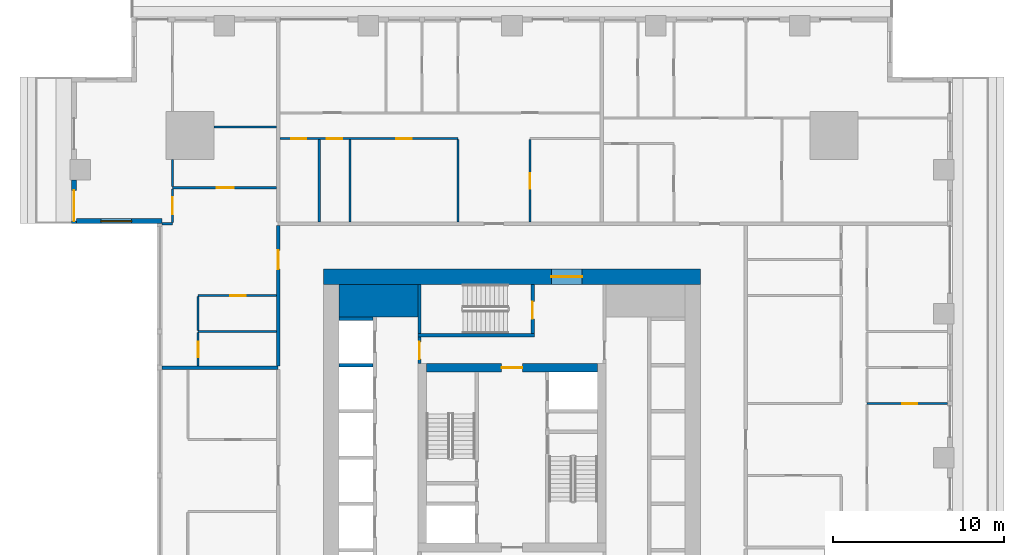
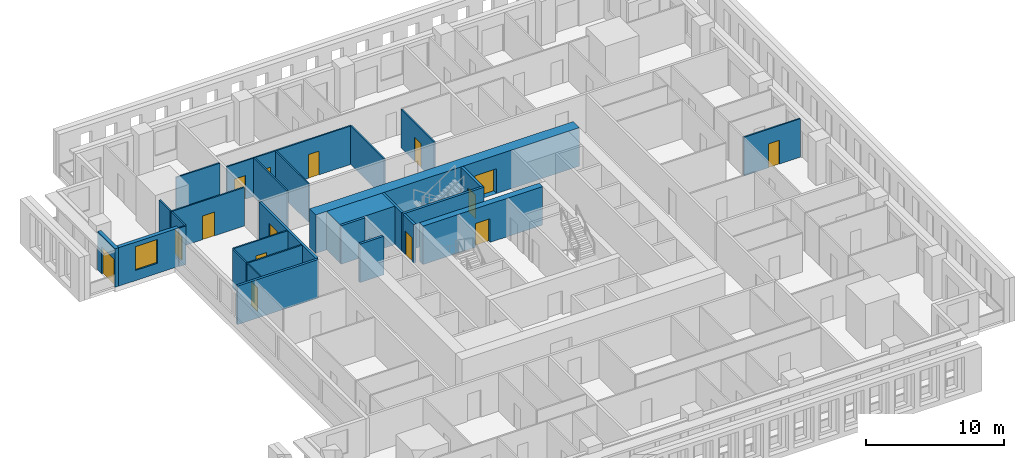
# One storey, part 6 of 14: 28 walls, 15 doors, 1 window, 16 openings.
"""IFC4 building model written with IfcOpenShell, lengths in metres."""

import ifcopenshell
import ifcopenshell.guid

model = None  # the IFC model being written
_history = None  # IfcOwnerHistory: only IFC2X3 demands one
_inside = {}  # id of a spatial element -> (the spatial element, [elements in it])
_under = {}  # id of a project, library or spatial element -> (it, [spatial elements below it])
_declared = {}  # id of a project -> (the project, [libraries it declares])
_typed = {}  # id of a type object -> (the type object, [elements of that type])
_made_of = {}  # id of a material, layer set ... -> (it, [elements and type objects made of it])


def new_model(schema):
    """Start an empty IFC model of exactly this schema.

    Asked for "IFC4X3", IfcOpenShell would pick the latest addendum, in which some entities
    have other attributes; the version numbers below select the first issue.
    IFC2X3 requires an IfcOwnerHistory on every rooted entity: one is made here for all.
    """
    global model, _history
    if schema == "IFC4X3":
        model = ifcopenshell.file(schema_version=(4, 3, 0, 0))
    else:
        model = ifcopenshell.file(schema=schema)
    _inside.clear()
    _under.clear()
    _declared.clear()
    _typed.clear()
    _made_of.clear()
    _history = None
    if model.schema == "IFC2X3":
        org = make("IfcOrganization", Name="unknown")
        user = make(
            "IfcPersonAndOrganization",
            ThePerson=make("IfcPerson", FamilyName="unknown"),
            TheOrganization=org,
        )
        app = make(
            "IfcApplication",
            ApplicationDeveloper=org,
            Version="unknown",
            ApplicationFullName="unknown",
            ApplicationIdentifier="unknown",
        )
        _history = make(
            "IfcOwnerHistory",
            OwningUser=user,
            OwningApplication=app,
            ChangeAction="ADDED",
            CreationDate=0,
        )
    return model


def make(cls, **values):
    """One entity of the class cls with the attributes given. An attribute that is None is left unset."""
    return model.create_entity(
        cls, **{name: value for name, value in values.items() if value is not None}
    )


def rooted(cls, **values):
    """An entity with a GlobalId (a new one), such as an element, a storey or a relation."""
    return make(cls, GlobalId=ifcopenshell.guid.new(), OwnerHistory=_history, **values)


def si_unit(unit_type, name, prefix=None):
    """IfcSIUnit, for example si_unit("LENGTHUNIT", "METRE", prefix="MILLI")."""
    return make("IfcSIUnit", UnitType=unit_type, Prefix=prefix, Name=name)


def assignment(units):
    """IfcUnitAssignment: the units of a project."""
    return None if units is None else make("IfcUnitAssignment", Units=units)


def point(xyz):
    """IfcCartesianPoint."""
    return None if xyz is None else make("IfcCartesianPoint", Coordinates=xyz)


def direction(xyz):
    """IfcDirection."""
    return None if xyz is None else make("IfcDirection", DirectionRatios=xyz)


def frame(location, z_axis=None, x_axis=None):
    """IfcAxis2Placement3D, a coordinate frame: its origin and axes. An axis left out is left unset."""
    return make(
        "IfcAxis2Placement3D",
        Location=point(location),
        Axis=direction(z_axis),
        RefDirection=direction(x_axis),
    )


def frame_2d(location, x_axis=None):
    """IfcAxis2Placement2D, a coordinate frame in the plane: its origin and x axis."""
    return make(
        "IfcAxis2Placement2D", Location=point(location), RefDirection=direction(x_axis)
    )


def origin():
    """The frame at (0, 0, 0) with its axes left unset."""
    return frame((0.0, 0.0, 0.0))


def place(relative_to, where):
    """IfcLocalPlacement: puts the frame where relative to a parent placement (None: the world)."""
    return make(
        "IfcLocalPlacement", PlacementRelTo=relative_to, RelativePlacement=where
    )


def context(
    kind, dimensions, precision=None, world=None, true_north=None, identifier=None
):
    """IfcGeometricRepresentationContext, for example the 3D "Model" context."""
    return make(
        "IfcGeometricRepresentationContext",
        ContextIdentifier=identifier,
        ContextType=kind,
        CoordinateSpaceDimension=dimensions,
        Precision=precision,
        WorldCoordinateSystem=world,
        TrueNorth=true_north,
    )


def subcontext(parent, identifier, kind, view, scale=None):
    """IfcGeometricRepresentationSubContext, for example "Body" below "Model"."""
    return make(
        "IfcGeometricRepresentationSubContext",
        ContextIdentifier=identifier,
        ContextType=kind,
        ParentContext=parent,
        TargetScale=scale,
        TargetView=view,
    )


def project(units=None, contexts=None):
    """IfcProject with its units and contexts."""
    return rooted(
        "IfcProject",
        Name="project",
        RepresentationContexts=contexts,
        UnitsInContext=assignment(units),
    )


def spatial(cls, under=None, at=None, **own):
    """A site, building, storey or space (cls), placed at a placement, below another one or the project."""
    s = rooted(cls, ObjectPlacement=at, **own)
    if under is not None:
        _under.setdefault(under.id(), (under, []))[1].append(s)
    return s


def profile(cls, at=None, kind="AREA", **sizes):
    """A parametric profile (cls). Its sizes go by their IFC names, for example OverallWidth=200.0."""
    return make(cls, ProfileType=kind, Position=at, **sizes)


def rectangle(**sizes):
    """IfcRectangleProfileDef."""
    return profile("IfcRectangleProfileDef", **sizes)


def extrude(swept, where, along, depth):
    """IfcExtrudedAreaSolid: the profile swept, set in the frame where, extruded along a direction by depth."""
    return make(
        "IfcExtrudedAreaSolid",
        SweptArea=swept,
        Position=where,
        ExtrudedDirection=direction(along),
        Depth=depth,
    )


def shape(context_of_items, identifier, shape_type, items):
    """IfcShapeRepresentation: the items that make up one representation, for example the "Body"."""
    return make(
        "IfcShapeRepresentation",
        ContextOfItems=context_of_items,
        RepresentationIdentifier=identifier,
        RepresentationType=shape_type,
        Items=items,
    )


def material(Name=None, Category=None):
    """IfcMaterial."""
    return make("IfcMaterial", Name=Name, Category=Category)


def layer(
    of_material, thickness, ventilated=None, Name=None, Category=None, Priority=None
):
    """IfcMaterialLayer: one layer of a wall or slab, of a material (None: an air gap)."""
    return make(
        "IfcMaterialLayer",
        Material=of_material,
        LayerThickness=thickness,
        IsVentilated=ventilated,
        Name=Name,
        Category=Category,
        Priority=Priority,
    )


def layer_set(layers, Name=None):
    """IfcMaterialLayerSet."""
    return make("IfcMaterialLayerSet", MaterialLayers=layers, LayerSetName=Name)


def made_of(thing, what):
    """Note that an element or type object is made of a material, layer set ...; save() writes the relation."""
    if what is not None:
        _made_of.setdefault(what.id(), (what, []))[1].append(thing)
    return thing


def type_object(cls, material=None, **own):
    """A type object (cls), such as IfcWallType, which elements share."""
    return made_of(rooted(cls, **own), material)


def element(
    cls,
    number,
    at=None,
    inside=None,
    cuts=None,
    type_object=None,
    material=None,
    context=None,
    identifier="Body",
    shape_type=None,
    held_by="IfcProductDefinitionShape",
    body=None,
    shapes=None,
    **own,
):
    """One element of the class cls, such as IfcWall. Its Tag is "e" and its number.

    at: its placement. inside: the storey or other place that contains it. cuts: it is an
    opening in that element (IfcRelVoidsElement). A single representation is given by context,
    identifier, shape_type and body (its items); several are given by shapes. held_by: the class
    of the entity that holds the representations. save() writes the other relations.
    """
    e = rooted(cls, Tag="e%d" % number, ObjectPlacement=at, **own)
    if body is not None:
        shapes = [shape(context, identifier, shape_type, body)]
    if shapes is not None:
        e.Representation = make(held_by, Representations=shapes)
    if inside is not None:
        _inside.setdefault(inside.id(), (inside, []))[1].append(e)
    if cuts is not None:
        rooted(
            "IfcRelVoidsElement", RelatingBuildingElement=cuts, RelatedOpeningElement=e
        )
    if type_object is not None:
        _typed.setdefault(type_object.id(), (type_object, []))[1].append(e)
    return made_of(e, material)


def fill(opening, filler):
    """IfcRelFillsElement: the door or window that sits in an opening."""
    return rooted(
        "IfcRelFillsElement",
        RelatingOpeningElement=opening,
        RelatedBuildingElement=filler,
    )


def aggregate(whole, parts):
    """IfcRelAggregates: a whole, such as a stair, and the parts it consists of."""
    return rooted("IfcRelAggregates", RelatingObject=whole, RelatedObjects=parts)


def save(model, path):
    """Write the relations noted so far, then the file.

    IfcRelAggregates (storeys below a building ...), IfcRelContainedInSpatialStructure (elements
    in a storey), IfcRelDefinesByType, IfcRelAssociatesMaterial and IfcRelDeclares: one each for
    every whole, place, type object, material and project.
    """
    for whole, parts in _under.values():
        aggregate(whole, parts)
    for where, things in _inside.values():
        rooted(
            "IfcRelContainedInSpatialStructure",
            RelatedElements=things,
            RelatingStructure=where,
        )
    for kind, things in _typed.values():
        rooted("IfcRelDefinesByType", RelatedObjects=things, RelatingType=kind)
    for what, things in _made_of.values():
        rooted("IfcRelAssociatesMaterial", RelatedObjects=things, RelatingMaterial=what)
    for by, libraries in _declared.values():
        rooted("IfcRelDeclares", RelatingContext=by, RelatedDefinitions=libraries)
    model.write(path)


model = new_model("IFC4")

# Units and contexts
model_context = context("Model", 3, precision=1e-05, world=origin(), true_north=direction((0.0, 1.0)))
body_context = subcontext(model_context, "Body", "Model", "MODEL_VIEW")
ifc_project = project(units=[si_unit("LENGTHUNIT", "METRE"), si_unit("AREAUNIT", "SQUARE_METRE"), si_unit("VOLUMEUNIT", "CUBIC_METRE"), si_unit("PLANEANGLEUNIT", "RADIAN"), si_unit("MASSUNIT", "GRAM", prefix="KILO")], contexts=[model_context])

# Site, building, storey
site_placement = place(None, origin())
site = spatial("IfcSite", under=ifc_project, at=site_placement, CompositionType="ELEMENT")
building_placement = place(site_placement, origin())
building = spatial("IfcBuilding", under=site, at=building_placement, Name="Khepri Terraces", CompositionType="ELEMENT")
storey_placement = place(building_placement, frame((0.0, 0.0, 122.10009765625)))
storey = spatial("IfcBuildingStorey", under=building, at=storey_placement, Name="L29", CompositionType="ELEMENT", Elevation=122.10009765625)

# Walls
ifc_material_1 = material(Name="Concrete C70/85", Category="concrete")
ifc_layer_1 = layer(ifc_material_1, 1.89990234375, Name="Concrete C70/85", Category="concrete")
ifc_layer_set_1 = layer_set([ifc_layer_1], Name="Concrete C70/85")
wall_type_1 = type_object("IfcWallType", Name="Core wall 1900 C70/85", PredefinedType="SHEAR", material=ifc_layer_set_1)
wall_1_placement = place(storey_placement, frame((-10.10009765625, 9.14990234375, 0.0), z_axis=(0.0, 0.0, 1.0), x_axis=(1.0, 0.0, 0.0)))
element("IfcWall", 1, at=wall_1_placement, inside=storey, type_object=wall_type_1, Name="Core wall PR03 L29", PredefinedType="SHEAR", context=body_context, shape_type="SweptSolid", body=[
    extrude(rectangle(XDim=4.60009765625, YDim=1.89990234375, at=frame_2d((2.300048828125, 0.0))), origin(), (0.0, 0.0, 1.0), 3.39990234375),
])
ifc_layer_2 = layer(ifc_material_1, 0.199951171875, Name="Concrete C70/85", Category="concrete")
ifc_layer_set_2 = layer_set([ifc_layer_2], Name="Concrete C70/85")
wall_type_2 = type_object("IfcWallType", Name="Core wall 200 C70/85", PredefinedType="SHEAR", material=ifc_layer_set_2)
wall_2_placement = place(storey_placement, frame((-5.5, 7.14990234375, 0.0), z_axis=(0.0, 0.0, 1.0), x_axis=(1.0, 0.0, 0.0)))
element("IfcWall", 2, at=wall_2_placement, inside=storey, type_object=wall_type_2, Name="Core wall ST05 L29", PredefinedType="SHEAR", context=body_context, shape_type="SweptSolid", body=[
    extrude(rectangle(XDim=6.800048828125, YDim=0.199951171875, at=frame_2d((3.39990234375, 0.0))), origin(), (0.0, 0.0, 1.0), 3.39990234375),
])
wall_3_placement = place(storey_placement, frame((-5.39990234375, 7.25, 0.0), z_axis=(0.0, 0.0, 1.0), x_axis=(0.0, 1.0, 0.0)))
element("IfcWall", 3, at=wall_3_placement, inside=storey, type_object=wall_type_2, Name="Core wall ST06 L29", PredefinedType="SHEAR", context=body_context, shape_type="SweptSolid", body=[
    extrude(rectangle(XDim=2.85009765625, YDim=0.199951171875, at=frame_2d((1.425048828125, 0.0))), origin(), (0.0, 0.0, 1.0), 3.39990234375),
])

# Wall, opening, door
wall_4_placement = place(storey_placement, frame((1.199951171875, 7.25, 0.0), z_axis=(0.0, 0.0, 1.0), x_axis=(0.0, 1.0, 0.0)))
wall_4 = element("IfcWall", 4, at=wall_4_placement, inside=storey, type_object=wall_type_2, Name="Core wall ST07 L29", PredefinedType="SHEAR", context=body_context, shape_type="SweptSolid", body=[
    extrude(rectangle(XDim=2.85009765625, YDim=0.199951171875, at=frame_2d((1.425048828125, 0.0))), origin(), (0.0, 0.0, 1.0), 3.39990234375),
])
opening_1_placement = place(wall_4_placement, frame((0.85009765625, 0.0, 0.0)))
opening_1 = element("IfcOpeningElement", 5, at=opening_1_placement, cuts=wall_4, Name="Opening L29-C15", PredefinedType="OPENING", context=body_context, shape_type="SweptSolid", body=[
    extrude(rectangle(XDim=1.0, YDim=2.10009765625, at=frame_2d((0.5, 1.050048828125))), frame((0.0, 0.10986328125, 0.0), z_axis=(0.0, -1.0, 0.0), x_axis=(1.0, 0.0, 0.0)), (0.0, 0.0, 1.0), 0.219970703125),
])
ifc_material_2 = material(Name="Painted steel", Category="steel")
door_type_1 = type_object("IfcDoorType", Name="DR-CORE-STAIR-1000", OperationType="NOTDEFINED", PredefinedType="DOOR", material=ifc_material_2)
door_1_placement = place(opening_1_placement, origin())
door_1 = element("IfcDoor", 6, at=door_1_placement, inside=storey, type_object=door_type_1, Name="Stair door L29-C15", OperationType="SINGLE_SWING_LEFT", OverallHeight=2.10009765625, OverallWidth=1.0, PredefinedType="DOOR", context=body_context, shape_type="SweptSolid", body=[
    extrude(rectangle(XDim=1.0, YDim=2.10009765625, at=frame_2d((0.5, 1.050048828125))), frame((0.0, 0.02490234375, 0.0), z_axis=(0.0, -1.0, 0.0), x_axis=(1.0, 0.0, 0.0)), (0.0, 0.0, 1.0), 0.050048828125),
])
fill(opening_1, door_1)

# Walls
for number, where, z_axis, x_axis, name in (
    (7, (-10.10009765625, 5.39990234375, 0.0), (0.0, 0.0, 1.0), (1.0, 0.0, 0.0), "Core wall SH22 L29"),
    (8, (-10.10009765625, 8.10009765625, 0.0), (0.0, 0.0, 1.0), (1.0, 0.0, 0.0), "Core wall SH24 L29"),
):
    element("IfcWall", number, at=place(storey_placement, frame(where, z_axis=z_axis, x_axis=x_axis)), inside=storey, type_object=wall_type_2, Name=name, PredefinedType="SHEAR", context=body_context, shape_type="SweptSolid", body=[
        extrude(rectangle(XDim=2.0, YDim=0.199951171875, at=frame_2d((1.0, 0.0))), origin(), (0.0, 0.0, 1.0), 3.39990234375),
    ])

# Wall, opening, door
ifc_layer_3 = layer(ifc_material_1, 0.5, Name="Concrete C70/85", Category="concrete")
ifc_layer_set_3 = layer_set([ifc_layer_3], Name="Concrete C70/85")
wall_type_3 = type_object("IfcWallType", Name="Core wall 500 C70/85", PredefinedType="SHEAR", material=ifc_layer_set_3)
wall_5_placement = place(storey_placement, frame((-5.0, 5.25, 0.0), z_axis=(0.0, 0.0, 1.0), x_axis=(1.0, 0.0, 0.0)))
wall_5 = element("IfcWall", 9, at=wall_5_placement, inside=storey, type_object=wall_type_3, Name="Core wall BX04 L29", PredefinedType="SHEAR", context=body_context, shape_type="SweptSolid", body=[
    extrude(rectangle(XDim=10.0, YDim=0.5, at=frame_2d((5.0, 0.0))), origin(), (0.0, 0.0, 1.0), 3.39990234375),
])
opening_2_placement = place(wall_5_placement, frame((4.39990234375, 0.0, 0.0)))
opening_2 = element("IfcOpeningElement", 10, at=opening_2_placement, cuts=wall_5, Name="Opening L29-C13", PredefinedType="OPENING", context=body_context, shape_type="SweptSolid", body=[
    extrude(rectangle(XDim=1.199951171875, YDim=2.10009765625, at=frame_2d((0.60009765625, 1.050048828125))), frame((0.0, 0.260009765625, 0.0), z_axis=(0.0, -1.0, 0.0), x_axis=(1.0, 0.0, 0.0)), (0.0, 0.0, 1.0), 0.52001953125),
])
door_type_2 = type_object("IfcDoorType", Name="DR-CORE-FF-LOBBY-1200", OperationType="NOTDEFINED", PredefinedType="DOOR", material=ifc_material_2)
door_2_placement = place(opening_2_placement, frame((1.199951171875, 0.0, 0.0), z_axis=(0.0, 0.0, 1.0), x_axis=(-1.0, 0.0, 0.0)))
door_2 = element("IfcDoor", 11, at=door_2_placement, inside=storey, type_object=door_type_2, Name="Firefighting lobby door L29-C13", OperationType="SINGLE_SWING_LEFT", OverallHeight=2.10009765625, OverallWidth=1.199951171875, PredefinedType="DOOR", context=body_context, shape_type="SweptSolid", body=[
    extrude(rectangle(XDim=1.199951171875, YDim=2.10009765625, at=frame_2d((0.60009765625, 1.050048828125))), frame((0.0, 0.02490234375, 0.0), z_axis=(0.0, -1.0, 0.0), x_axis=(1.0, 0.0, 0.0)), (0.0, 0.0, 1.0), 0.050048828125),
])
fill(opening_2, door_2)

ifc_layer_4 = layer(ifc_material_1, 0.89990234375, Name="Concrete C70/85", Category="concrete")
ifc_layer_set_4 = layer_set([ifc_layer_4], Name="Concrete C70/85")
wall_type_4 = type_object("IfcWallType", Name="Core wall 900 C70/85", PredefinedType="SHEAR", material=ifc_layer_set_4)
wall_6_placement = place(storey_placement, frame((-11.0, 10.550048828125, 0.0), z_axis=(0.0, 0.0, 1.0), x_axis=(1.0, 0.0, 0.0)))
wall_6 = element("IfcWall", 12, at=wall_6_placement, inside=storey, type_object=wall_type_4, Name="Core wall OW-N L29", PredefinedType="SHEAR", context=body_context, shape_type="SweptSolid", body=[
    extrude(rectangle(XDim=22.0, YDim=0.89990234375, at=frame_2d((11.0, 0.0))), origin(), (0.0, 0.0, 1.0), 3.39990234375),
])
opening_3_placement = place(wall_6_placement, frame((13.300048828125, 0.0, 0.0)))
opening_3 = element("IfcOpeningElement", 13, at=opening_3_placement, cuts=wall_6, Name="Opening L29-C20", PredefinedType="OPENING", context=body_context, shape_type="SweptSolid", body=[
    extrude(rectangle(XDim=1.800048828125, YDim=2.199951171875, at=frame_2d((0.89990234375, 1.10009765625))), frame((0.0, 0.4599609375, 0.0), z_axis=(0.0, -1.0, 0.0), x_axis=(1.0, 0.0, 0.0)), (0.0, 0.0, 1.0), 0.919921875),
])
door_type_3 = type_object("IfcDoorType", Name="DR-CORE-ENTRANCE-1800", OperationType="NOTDEFINED", PredefinedType="DOOR", material=ifc_material_2)
door_3_placement = place(opening_3_placement, origin())
door_3 = element("IfcDoor", 14, at=door_3_placement, inside=storey, type_object=door_type_3, Name="Core entrance door pair L29-C20", OperationType="DOUBLE_DOOR_SINGLE_SWING", OverallHeight=2.199951171875, OverallWidth=1.800048828125, PredefinedType="DOOR", context=body_context, shape_type="SweptSolid", body=[
    extrude(rectangle(XDim=1.800048828125, YDim=2.199951171875, at=frame_2d((0.89990234375, 1.10009765625))), frame((0.0, 0.02490234375, 0.0), z_axis=(0.0, -1.0, 0.0), x_axis=(1.0, 0.0, 0.0)), (0.0, 0.0, 1.0), 0.050048828125),
])
fill(opening_3, door_3)

ifc_material_3 = material(Name="Fire-rated gypsum board partition")
ifc_layer_5 = layer(ifc_material_3, 0.199951171875, Name="Fire-rated gypsum board partition")
ifc_layer_set_5 = layer_set([ifc_layer_5], Name="Fire-rated gypsum board partition")
wall_type_5 = type_object("IfcWallType", Name="WL-CORE-PART-200", PredefinedType="PARTITIONING", material=ifc_layer_set_5)
wall_7_placement = place(storey_placement, frame((-5.39990234375, 5.5, 0.0), z_axis=(0.0, 0.0, 1.0), x_axis=(0.0, 1.0, 0.0)))
wall_7 = element("IfcWall", 15, at=wall_7_placement, inside=storey, type_object=wall_type_5, Name="Core partition PT03 L29", PredefinedType="PARTITIONING", context=body_context, shape_type="SweptSolid", body=[
    extrude(rectangle(XDim=1.550048828125, YDim=0.199951171875, at=frame_2d((0.77490234375, 0.0))), origin(), (0.0, 0.0, 1.0), 3.39990234375),
])
opening_4_placement = place(wall_7_placement, frame((0.25, 0.0, 0.0)))
opening_4 = element("IfcOpeningElement", 16, at=opening_4_placement, cuts=wall_7, Name="Opening L29-C16", PredefinedType="OPENING", context=body_context, shape_type="SweptSolid", body=[
    extrude(rectangle(XDim=1.0, YDim=2.10009765625, at=frame_2d((0.5, 1.050048828125))), frame((0.0, 0.10986328125, 0.0), z_axis=(0.0, -1.0, 0.0), x_axis=(1.0, 0.0, 0.0)), (0.0, 0.0, 1.0), 0.219970703125),
])
door_type_4 = type_object("IfcDoorType", Name="DR-CORE-LOBBY-1000", OperationType="NOTDEFINED", PredefinedType="DOOR", material=ifc_material_2)
door_4_placement = place(opening_4_placement, frame((1.0, 0.0, 0.0), z_axis=(0.0, 0.0, 1.0), x_axis=(-1.0, 0.0, 0.0)))
door_4 = element("IfcDoor", 17, at=door_4_placement, inside=storey, type_object=door_type_4, Name="Lobby door L29-C16", OperationType="SINGLE_SWING_RIGHT", OverallHeight=2.10009765625, OverallWidth=1.0, PredefinedType="DOOR", context=body_context, shape_type="SweptSolid", body=[
    extrude(rectangle(XDim=1.0, YDim=2.10009765625, at=frame_2d((0.5, 1.050048828125))), frame((0.0, 0.02490234375, 0.0), z_axis=(0.0, -1.0, 0.0), x_axis=(1.0, 0.0, 0.0)), (0.0, 0.0, 1.0), 0.050048828125),
])
fill(opening_4, door_4)

# Wall
ifc_material_4 = material(Name="Fire-rated gypsum plasterboard partition, mineral wool")
ifc_layer_6 = layer(ifc_material_4, 0.199951171875, Name="Fire-rated gypsum plasterboard partition, mineral wool")
ifc_layer_set_6 = layer_set([ifc_layer_6], Name="Fire-rated gypsum plasterboard partition, mineral wool")
wall_type_6 = type_object("IfcWallType", Name="WL-CORR-200", PredefinedType="PARTITIONING", material=ifc_layer_set_6)
wall_8_placement = place(storey_placement, frame((-20.419921875, 5.25, 0.0), z_axis=(0.0, 0.0, 1.0), x_axis=(1.0, 0.0, 0.0)))
element("IfcWall", 18, at=wall_8_placement, inside=storey, type_object=wall_type_6, Name="Partition P-054 L29", PredefinedType="PARTITIONING", context=body_context, shape_type="SweptSolid", body=[
    extrude(rectangle(XDim=6.77001953125, YDim=0.199951171875, at=frame_2d((3.385009765625, 0.0))), origin(), (0.0, 0.0, 1.0), 3.39990234375),
])

# Wall, opening, door
wall_9_placement = place(storey_placement, frame((-13.64990234375, 5.35009765625, 0.0), z_axis=(0.0, 0.0, 1.0), x_axis=(0.0, 1.0, 0.0)))
wall_9 = element("IfcWall", 19, at=wall_9_placement, inside=storey, type_object=wall_type_6, Name="Partition P-058 L29", PredefinedType="PARTITIONING", context=body_context, shape_type="SweptSolid", body=[
    extrude(rectangle(XDim=8.199951171875, YDim=0.199951171875, at=frame_2d((4.10009765625, 0.0))), origin(), (0.0, 0.0, 1.0), 3.39990234375),
])
opening_5_placement = place(wall_9_placement, frame((5.64990234375, 0.0, 0.0)))
opening_5 = element("IfcOpeningElement", 20, at=opening_5_placement, cuts=wall_9, Name="Opening D1", PredefinedType="OPENING", context=body_context, shape_type="SweptSolid", body=[
    extrude(rectangle(XDim=1.10009765625, YDim=2.39990234375, at=frame_2d((0.550048828125, 1.199951171875))), frame((0.0, 0.10986328125, 0.0), z_axis=(0.0, -1.0, 0.0), x_axis=(1.0, 0.0, 0.0)), (0.0, 0.0, 1.0), 0.219970703125),
])
ifc_material_5 = material(Name="Solid-core timber door leaf, flat entrance door", Category="wood")
door_type_5 = type_object("IfcDoorType", Name="DR-ENT-1100", OperationType="NOTDEFINED", PredefinedType="DOOR", material=ifc_material_5)
door_5_placement = place(opening_5_placement, origin())
door_5 = element("IfcDoor", 21, at=door_5_placement, inside=storey, type_object=door_type_5, Name="Flat D1 entrance door", OperationType="SINGLE_SWING_RIGHT", OverallHeight=2.39990234375, OverallWidth=1.10009765625, PredefinedType="DOOR", context=body_context, shape_type="SweptSolid", body=[
    extrude(rectangle(XDim=1.10009765625, YDim=2.39990234375, at=frame_2d((0.550048828125, 1.199951171875))), frame((0.0, 0.02490234375, 0.0), z_axis=(0.0, -1.0, 0.0), x_axis=(1.0, 0.0, 0.0)), (0.0, 0.0, 1.0), 0.050048828125),
])
fill(opening_5, door_5)

ifc_material_6 = material(Name="Precast concrete C50/60 warm stone", Category="masonry")
ifc_layer_7 = layer(ifc_material_6, 0.300048828125, Name="Precast concrete C50/60 warm stone", Category="masonry")
ifc_layer_set_7 = layer_set([ifc_layer_7], Name="Precast concrete C50/60 warm stone")
wall_type_7 = type_object("IfcWallType", Name="WL-EXT-PRECAST-300", PredefinedType="STANDARD", material=ifc_layer_set_7)
wall_10_placement = place(storey_placement, frame((-25.570068359375, 16.199951171875, 0.0), z_axis=(0.0, 0.0, 1.0), x_axis=(0.0, -1.0, 0.0)))
wall_10 = element("IfcWall", 22, at=wall_10_placement, inside=storey, type_object=wall_type_7, Name="External wall L29 W", PredefinedType="STANDARD", context=body_context, shape_type="SweptSolid", body=[
    extrude(rectangle(XDim=2.550048828125, YDim=0.300048828125, at=frame_2d((1.27490234375, 0.0))), origin(), (0.0, 0.0, 1.0), 3.39990234375),
])
opening_6_placement = place(wall_10_placement, frame((0.60009765625, 0.0, 0.0)))
opening_6 = element("IfcOpeningElement", 23, at=opening_6_placement, cuts=wall_10, Name="Opening ED-L29-16", PredefinedType="OPENING", context=body_context, shape_type="SweptSolid", body=[
    extrude(rectangle(XDim=1.800048828125, YDim=2.39990234375, at=frame_2d((0.89990234375, 1.199951171875))), frame((0.0, 0.16015625, 0.0), z_axis=(0.0, -1.0, 0.0), x_axis=(1.0, 0.0, 0.0)), (0.0, 0.0, 1.0), 0.320068359375),
])
ifc_material_7 = material(Name="Anodised aluminium bronze glazed door", Category="aluminium")
door_type_6 = type_object("IfcDoorType", Name="DR-BAL-SLIDE-1800x2400", OperationType="NOTDEFINED", PredefinedType="DOOR", material=ifc_material_7)
door_6_placement = place(opening_6_placement, origin())
door_6 = element("IfcDoor", 24, at=door_6_placement, inside=storey, type_object=door_type_6, Name="Balcony door L29 W", OperationType="SLIDING_TO_LEFT", OverallHeight=2.39990234375, OverallWidth=1.800048828125, PredefinedType="DOOR", context=body_context, shape_type="SweptSolid", body=[
    extrude(rectangle(XDim=1.800048828125, YDim=2.39990234375, at=frame_2d((0.89990234375, 1.199951171875))), frame((0.0, 0.02490234375, 0.0), z_axis=(0.0, -1.0, 0.0), x_axis=(1.0, 0.0, 0.0)), (0.0, 0.0, 1.0), 0.050048828125),
])
fill(opening_6, door_6)

# Wall, opening, window
wall_11_placement = place(storey_placement, frame((-25.419921875, 13.800048828125, 0.0), z_axis=(0.0, 0.0, 1.0), x_axis=(1.0, 0.0, 0.0)))
wall_11 = element("IfcWall", 25, at=wall_11_placement, inside=storey, type_object=wall_type_7, Name="External wall L29 S", PredefinedType="STANDARD", context=body_context, shape_type="SweptSolid", body=[
    extrude(rectangle(XDim=5.0, YDim=0.300048828125, at=frame_2d((2.5, 0.0))), origin(), (0.0, 0.0, 1.0), 3.39990234375),
])
opening_7_placement = place(wall_11_placement, frame((1.419921875, 0.0, 0.89990234375)))
opening_7 = element("IfcOpeningElement", 26, at=opening_7_placement, cuts=wall_11, Name="Opening W1", PredefinedType="OPENING", context=body_context, shape_type="SweptSolid", body=[
    extrude(rectangle(XDim=1.800048828125, YDim=2.10009765625, at=frame_2d((0.89990234375, 1.050048828125))), frame((0.0, 0.16015625, 0.0), z_axis=(0.0, -1.0, 0.0), x_axis=(1.0, 0.0, 0.0)), (0.0, 0.0, 1.0), 0.320068359375),
])
ifc_material_8 = material(Name="Clear glass", Category="glass")
window_type = type_object("IfcWindowType", Name="WIN-RES-1800x2100", PartitioningType="SINGLE_PANEL", PredefinedType="WINDOW", material=ifc_material_8)
window_placement = place(opening_7_placement, origin())
window = element("IfcWindow", 27, at=window_placement, inside=storey, type_object=window_type, Name="Window L29 S", OverallHeight=2.10009765625, OverallWidth=1.800048828125, PartitioningType="SINGLE_PANEL", PredefinedType="WINDOW", context=body_context, shape_type="SweptSolid", body=[
    extrude(rectangle(XDim=1.800048828125, YDim=2.10009765625, at=frame_2d((0.89990234375, 1.050048828125))), frame((0.0, 0.030029296875, 0.0), z_axis=(0.0, -1.0, 0.0), x_axis=(1.0, 0.0, 0.0)), (0.0, 0.0, 1.0), 0.06005859375),
])
fill(opening_7, window)

# Wall, opening, door
ifc_material_9 = material(Name="Gypsum plasterboard partition")
ifc_layer_8 = layer(ifc_material_9, 0.1201171875, Name="Gypsum plasterboard partition")
ifc_layer_set_8 = layer_set([ifc_layer_8], Name="Gypsum plasterboard partition")
wall_type_8 = type_object("IfcWallType", Name="WL-PART-120", PredefinedType="PARTITIONING", material=ifc_layer_set_8)
wall_12_placement = place(storey_placement, frame((20.719970703125, 3.14990234375, 0.0), z_axis=(0.0, 0.0, 1.0), x_axis=(1.0, 0.0, 0.0)))
wall_12 = element("IfcWall", 28, at=wall_12_placement, inside=storey, type_object=wall_type_8, Name="Partition P-051 L29", PredefinedType="PARTITIONING", context=body_context, shape_type="SweptSolid", body=[
    extrude(rectangle(XDim=4.699951171875, YDim=0.1201171875, at=frame_2d((2.35009765625, 0.0))), origin(), (0.0, 0.0, 1.0), 3.39990234375),
])
opening_8_placement = place(wall_12_placement, frame((2.050048828125, 0.0, 0.0)))
opening_8 = element("IfcOpeningElement", 29, at=opening_8_placement, cuts=wall_12, Name="Opening D3", PredefinedType="OPENING", context=body_context, shape_type="SweptSolid", body=[
    extrude(rectangle(XDim=0.89990234375, YDim=2.10009765625, at=frame_2d((0.449951171875, 1.050048828125))), frame((0.0, 0.070068359375, 0.0), z_axis=(0.0, -1.0, 0.0), x_axis=(1.0, 0.0, 0.0)), (0.0, 0.0, 1.0), 0.14013671875),
])
ifc_material_10 = material(Name="Timber door leaf", Category="wood")
door_type_7 = type_object("IfcDoorType", Name="DR-INT-900", OperationType="NOTDEFINED", PredefinedType="DOOR", material=ifc_material_10)
door_7_placement = place(opening_8_placement, origin())
door_7 = element("IfcDoor", 30, at=door_7_placement, inside=storey, type_object=door_type_7, Name="Door Dressing Room", OperationType="SINGLE_SWING_RIGHT", OverallHeight=2.10009765625, OverallWidth=0.89990234375, PredefinedType="DOOR", context=body_context, shape_type="SweptSolid", body=[
    extrude(rectangle(XDim=0.89990234375, YDim=2.10009765625, at=frame_2d((0.449951171875, 1.050048828125))), frame((0.0, 0.02490234375, 0.0), z_axis=(0.0, -1.0, 0.0), x_axis=(1.0, 0.0, 0.0)), (0.0, 0.0, 1.0), 0.050048828125),
])
fill(opening_8, door_7)

wall_13_placement = place(storey_placement, frame((-18.320068359375, 5.35009765625, 0.0), z_axis=(0.0, 0.0, 1.0), x_axis=(0.0, 1.0, 0.0)))
wall_13 = element("IfcWall", 31, at=wall_13_placement, inside=storey, type_object=wall_type_8, Name="Partition P-057 L29", PredefinedType="PARTITIONING", context=body_context, shape_type="SweptSolid", body=[
    extrude(rectangle(XDim=1.93994140625, YDim=0.1201171875, at=frame_2d((0.969970703125, 0.0))), origin(), (0.0, 0.0, 1.0), 3.39990234375),
])
opening_9_placement = place(wall_13_placement, frame((0.5, 0.0, 0.0)))
opening_9 = element("IfcOpeningElement", 32, at=opening_9_placement, cuts=wall_13, Name="Opening D3", PredefinedType="OPENING", context=body_context, shape_type="SweptSolid", body=[
    extrude(rectangle(XDim=0.89990234375, YDim=2.10009765625, at=frame_2d((0.449951171875, 1.050048828125))), frame((0.0, 0.070068359375, 0.0), z_axis=(0.0, -1.0, 0.0), x_axis=(1.0, 0.0, 0.0)), (0.0, 0.0, 1.0), 0.14013671875),
])
door_8_placement = place(opening_9_placement, frame((0.89990234375, 0.0, 0.0), z_axis=(0.0, 0.0, 1.0), x_axis=(-1.0, 0.0, 0.0)))
door_8 = element("IfcDoor", 33, at=door_8_placement, inside=storey, type_object=door_type_7, Name="Door Kitchen", OperationType="SINGLE_SWING_RIGHT", OverallHeight=2.10009765625, OverallWidth=0.89990234375, PredefinedType="DOOR", context=body_context, shape_type="SweptSolid", body=[
    extrude(rectangle(XDim=0.89990234375, YDim=2.10009765625, at=frame_2d((0.449951171875, 1.050048828125))), frame((0.0, 0.02490234375, 0.0), z_axis=(0.0, -1.0, 0.0), x_axis=(1.0, 0.0, 0.0)), (0.0, 0.0, 1.0), 0.050048828125),
])
fill(opening_9, door_8)

# Walls
wall_14_placement = place(storey_placement, frame((-18.320068359375, 7.35009765625, 0.0), z_axis=(0.0, 0.0, 1.0), x_axis=(1.0, 0.0, 0.0)))
element("IfcWall", 34, at=wall_14_placement, inside=storey, type_object=wall_type_8, Name="Partition P-059 L29", PredefinedType="PARTITIONING", context=body_context, shape_type="SweptSolid", body=[
    extrude(rectangle(XDim=4.570068359375, YDim=0.1201171875, at=frame_2d((2.28515625, 0.0))), origin(), (0.0, 0.0, 1.0), 3.39990234375),
])
wall_15_placement = place(storey_placement, frame((-18.320068359375, 7.409912109375, 0.0), z_axis=(0.0, 0.0, 1.0), x_axis=(0.0, 1.0, 0.0)))
element("IfcWall", 35, at=wall_15_placement, inside=storey, type_object=wall_type_8, Name="Partition P-061 L29", PredefinedType="PARTITIONING", context=body_context, shape_type="SweptSolid", body=[
    extrude(rectangle(XDim=1.97998046875, YDim=0.1201171875, at=frame_2d((0.989990234375, 0.0))), origin(), (0.0, 0.0, 1.0), 3.39990234375),
])

# Wall, opening, door
wall_16_placement = place(storey_placement, frame((-18.320068359375, 9.449951171875, 0.0), z_axis=(0.0, 0.0, 1.0), x_axis=(1.0, 0.0, 0.0)))
wall_16 = element("IfcWall", 36, at=wall_16_placement, inside=storey, type_object=wall_type_8, Name="Partition P-063 L29", PredefinedType="PARTITIONING", context=body_context, shape_type="SweptSolid", body=[
    extrude(rectangle(XDim=4.570068359375, YDim=0.1201171875, at=frame_2d((2.28515625, 0.0))), origin(), (0.0, 0.0, 1.0), 3.39990234375),
])
opening_10_placement = place(wall_16_placement, frame((1.885009765625, 0.0, 0.0)))
opening_10 = element("IfcOpeningElement", 37, at=opening_10_placement, cuts=wall_16, Name="Opening D4", PredefinedType="OPENING", context=body_context, shape_type="SweptSolid", body=[
    extrude(rectangle(XDim=0.89990234375, YDim=2.10009765625, at=frame_2d((0.449951171875, 1.050048828125))), frame((0.0, 0.070068359375, 0.0), z_axis=(0.0, -1.0, 0.0), x_axis=(1.0, 0.0, 0.0)), (0.0, 0.0, 1.0), 0.14013671875),
])
ifc_material_11 = material(Name="Timber door leaf, moisture resistant", Category="wood")
door_type_8 = type_object("IfcDoorType", Name="DR-WET-900", OperationType="NOTDEFINED", PredefinedType="DOOR", material=ifc_material_11)
door_9_placement = place(opening_10_placement, frame((0.89990234375, 0.0, 0.0), z_axis=(0.0, 0.0, 1.0), x_axis=(-1.0, 0.0, 0.0)))
door_9 = element("IfcDoor", 38, at=door_9_placement, inside=storey, type_object=door_type_8, Name="Door Guest Bathroom", OperationType="SINGLE_SWING_LEFT", OverallHeight=2.10009765625, OverallWidth=0.89990234375, PredefinedType="DOOR", context=body_context, shape_type="SweptSolid", body=[
    extrude(rectangle(XDim=0.89990234375, YDim=2.10009765625, at=frame_2d((0.449951171875, 1.050048828125))), frame((0.0, 0.02490234375, 0.0), z_axis=(0.0, -1.0, 0.0), x_axis=(1.0, 0.0, 0.0)), (0.0, 0.0, 1.0), 0.050048828125),
])
fill(opening_10, door_9)

# Wall
wall_17_placement = place(storey_placement, frame((-20.419921875, 13.64990234375, 0.0), z_axis=(0.0, 0.0, 1.0), x_axis=(1.0, 0.0, 0.0)))
element("IfcWall", 39, at=wall_17_placement, inside=storey, type_object=wall_type_8, Name="Partition P-068 L29", PredefinedType="PARTITIONING", context=body_context, shape_type="SweptSolid", body=[
    extrude(rectangle(XDim=0.599853515625, YDim=0.1201171875, at=frame_2d((0.2998046875, 0.0))), origin(), (0.0, 0.0, 1.0), 3.39990234375),
])

# Wall, opening, door
wall_18_placement = place(storey_placement, frame((-19.820068359375, 13.7099609375, 0.0), z_axis=(0.0, 0.0, 1.0), x_axis=(0.0, 1.0, 0.0)))
wall_18 = element("IfcWall", 40, at=wall_18_placement, inside=storey, type_object=wall_type_8, Name="Partition P-070 L29", PredefinedType="PARTITIONING", context=body_context, shape_type="SweptSolid", body=[
    extrude(rectangle(XDim=1.97998046875, YDim=0.1201171875, at=frame_2d((0.989990234375, 0.0))), origin(), (0.0, 0.0, 1.0), 3.39990234375),
])
opening_11_placement = place(wall_18_placement, frame((0.489990234375, 0.0, 0.0)))
opening_11 = element("IfcOpeningElement", 41, at=opening_11_placement, cuts=wall_18, Name="Opening D2", PredefinedType="OPENING", context=body_context, shape_type="SweptSolid", body=[
    extrude(rectangle(XDim=1.0, YDim=2.10009765625, at=frame_2d((0.5, 1.050048828125))), frame((0.0, 0.070068359375, 0.0), z_axis=(0.0, -1.0, 0.0), x_axis=(1.0, 0.0, 0.0)), (0.0, 0.0, 1.0), 0.14013671875),
])
ifc_material_12 = material(Name="Timber door leaf, living room door", Category="wood")
door_type_9 = type_object("IfcDoorType", Name="DR-INT-1000", OperationType="NOTDEFINED", PredefinedType="DOOR", material=ifc_material_12)
door_10_placement = place(opening_11_placement, origin())
door_10 = element("IfcDoor", 42, at=door_10_placement, inside=storey, type_object=door_type_9, Name="Door Living Room", OperationType="SINGLE_SWING_LEFT", OverallHeight=2.10009765625, OverallWidth=1.0, PredefinedType="DOOR", context=body_context, shape_type="SweptSolid", body=[
    extrude(rectangle(XDim=1.0, YDim=2.10009765625, at=frame_2d((0.5, 1.050048828125))), frame((0.0, 0.02490234375, 0.0), z_axis=(0.0, -1.0, 0.0), x_axis=(1.0, 0.0, 0.0)), (0.0, 0.0, 1.0), 0.050048828125),
])
fill(opening_11, door_10)

# Walls
for number, where, z_axis, x_axis, name in (
    (43, (-11.25, 13.75, 0.0), (0.0, 0.0, 1.0), (0.0, 1.0, 0.0), "Partition P-072 L29"),
    (44, (-9.449951171875, 13.75, 0.0), (0.0, 0.0, 1.0), (0.0, 1.0, 0.0), "Partition P-073 L29"),
    (45, (-3.14990234375, 13.75, 0.0), (0.0, 0.0, 1.0), (0.0, 1.0, 0.0), "Partition P-074 L29"),
):
    element("IfcWall", number, at=place(storey_placement, frame(where, z_axis=z_axis, x_axis=x_axis)), inside=storey, type_object=wall_type_8, Name=name, PredefinedType="PARTITIONING", context=body_context, shape_type="SweptSolid", body=[
        extrude(rectangle(XDim=4.81005859375, YDim=0.1201171875, at=frame_2d((2.405029296875, 0.0))), origin(), (0.0, 0.0, 1.0), 3.39990234375),
    ])

# Wall, opening, door
wall_19_placement = place(storey_placement, frame((1.050048828125, 13.75, 0.0), z_axis=(0.0, 0.0, 1.0), x_axis=(0.0, 1.0, 0.0)))
wall_19 = element("IfcWall", 46, at=wall_19_placement, inside=storey, type_object=wall_type_8, Name="Partition P-075 L29", PredefinedType="PARTITIONING", context=body_context, shape_type="SweptSolid", body=[
    extrude(rectangle(XDim=4.81005859375, YDim=0.1201171875, at=frame_2d((2.405029296875, 0.0))), origin(), (0.0, 0.0, 1.0), 3.39990234375),
])
opening_12_placement = place(wall_19_placement, frame((1.93505859375, 0.0, 0.0)))
opening_12 = element("IfcOpeningElement", 47, at=opening_12_placement, cuts=wall_19, Name="Opening D3", PredefinedType="OPENING", context=body_context, shape_type="SweptSolid", body=[
    extrude(rectangle(XDim=0.89990234375, YDim=2.10009765625, at=frame_2d((0.449951171875, 1.050048828125))), frame((0.0, 0.070068359375, 0.0), z_axis=(0.0, -1.0, 0.0), x_axis=(1.0, 0.0, 0.0)), (0.0, 0.0, 1.0), 0.14013671875),
])
door_11_placement = place(opening_12_placement, frame((0.89990234375, 0.0, 0.0), z_axis=(0.0, 0.0, 1.0), x_axis=(-1.0, 0.0, 0.0)))
door_11 = element("IfcDoor", 48, at=door_11_placement, inside=storey, type_object=door_type_7, Name="Door Utility Room", OperationType="SINGLE_SWING_RIGHT", OverallHeight=2.10009765625, OverallWidth=0.89990234375, PredefinedType="DOOR", context=body_context, shape_type="SweptSolid", body=[
    extrude(rectangle(XDim=0.89990234375, YDim=2.10009765625, at=frame_2d((0.449951171875, 1.050048828125))), frame((0.0, 0.02490234375, 0.0), z_axis=(0.0, -1.0, 0.0), x_axis=(1.0, 0.0, 0.0)), (0.0, 0.0, 1.0), 0.050048828125),
])
fill(opening_12, door_11)

wall_20_placement = place(storey_placement, frame((-19.820068359375, 15.75, 0.0), z_axis=(0.0, 0.0, 1.0), x_axis=(1.0, 0.0, 0.0)))
wall_20 = element("IfcWall", 49, at=wall_20_placement, inside=storey, type_object=wall_type_8, Name="Partition P-080 L29", PredefinedType="PARTITIONING", context=body_context, shape_type="SweptSolid", body=[
    extrude(rectangle(XDim=6.070068359375, YDim=0.1201171875, at=frame_2d((3.03515625, 0.0))), origin(), (0.0, 0.0, 1.0), 3.39990234375),
])
opening_13_placement = place(wall_20_placement, frame((2.5849609375, 0.0, 0.0)))
opening_13 = element("IfcOpeningElement", 50, at=opening_13_placement, cuts=wall_20, Name="Opening D2", PredefinedType="OPENING", context=body_context, shape_type="SweptSolid", body=[
    extrude(rectangle(XDim=1.0, YDim=2.10009765625, at=frame_2d((0.5, 1.050048828125))), frame((0.0, 0.070068359375, 0.0), z_axis=(0.0, -1.0, 0.0), x_axis=(1.0, 0.0, 0.0)), (0.0, 0.0, 1.0), 0.14013671875),
])
door_12_placement = place(opening_13_placement, origin())
door_12 = element("IfcDoor", 51, at=door_12_placement, inside=storey, type_object=door_type_9, Name="Door Family Room", OperationType="SINGLE_SWING_RIGHT", OverallHeight=2.10009765625, OverallWidth=1.0, PredefinedType="DOOR", context=body_context, shape_type="SweptSolid", body=[
    extrude(rectangle(XDim=1.0, YDim=2.10009765625, at=frame_2d((0.5, 1.050048828125))), frame((0.0, 0.02490234375, 0.0), z_axis=(0.0, -1.0, 0.0), x_axis=(1.0, 0.0, 0.0)), (0.0, 0.0, 1.0), 0.050048828125),
])
fill(opening_13, door_12)

# Wall
wall_21_placement = place(storey_placement, frame((-19.820068359375, 15.81005859375, 0.0), z_axis=(0.0, 0.0, 1.0), x_axis=(0.0, 1.0, 0.0)))
element("IfcWall", 52, at=wall_21_placement, inside=storey, type_object=wall_type_8, Name="Partition P-081 L29", PredefinedType="PARTITIONING", context=body_context, shape_type="SweptSolid", body=[
    extrude(rectangle(XDim=1.58984375, YDim=0.1201171875, at=frame_2d((0.794921875, 0.0))), origin(), (0.0, 0.0, 1.0), 3.39990234375),
])

# Wall, openings, doors
wall_22_placement = place(storey_placement, frame((-13.550048828125, 18.6201171875, 0.0), z_axis=(0.0, 0.0, 1.0), x_axis=(1.0, 0.0, 0.0)))
wall_22 = element("IfcWall", 53, at=wall_22_placement, inside=storey, type_object=wall_type_8, Name="Partition P-083 L29", PredefinedType="PARTITIONING", context=body_context, shape_type="SweptSolid", body=[
    extrude(rectangle(XDim=10.400146484375, YDim=0.1201171875, at=frame_2d((5.2001953125, 0.0))), origin(), (0.0, 0.0, 1.0), 3.39990234375),
])
opening_14_placement = place(wall_22_placement, frame((6.800048828125, 0.0, 0.0)))
opening_14 = element("IfcOpeningElement", 54, at=opening_14_placement, cuts=wall_22, Name="Opening D3", PredefinedType="OPENING", context=body_context, shape_type="SweptSolid", body=[
    extrude(rectangle(XDim=0.89990234375, YDim=2.10009765625, at=frame_2d((0.449951171875, 1.050048828125))), frame((0.0, 0.070068359375, 0.0), z_axis=(0.0, -1.0, 0.0), x_axis=(1.0, 0.0, 0.0)), (0.0, 0.0, 1.0), 0.14013671875),
])
opening_15_placement = place(wall_22_placement, frame((2.75, 0.0, 0.0)))
opening_15 = element("IfcOpeningElement", 55, at=opening_15_placement, cuts=wall_22, Name="Opening D4", PredefinedType="OPENING", context=body_context, shape_type="SweptSolid", body=[
    extrude(rectangle(XDim=0.89990234375, YDim=2.10009765625, at=frame_2d((0.449951171875, 1.050048828125))), frame((0.0, 0.070068359375, 0.0), z_axis=(0.0, -1.0, 0.0), x_axis=(1.0, 0.0, 0.0)), (0.0, 0.0, 1.0), 0.14013671875),
])
opening_16_placement = place(wall_22_placement, frame((0.64990234375, 0.0, 0.0)))
opening_16 = element("IfcOpeningElement", 56, at=opening_16_placement, cuts=wall_22, Name="Opening D3", PredefinedType="OPENING", context=body_context, shape_type="SweptSolid", body=[
    extrude(rectangle(XDim=0.89990234375, YDim=2.10009765625, at=frame_2d((0.449951171875, 1.050048828125))), frame((0.0, 0.070068359375, 0.0), z_axis=(0.0, -1.0, 0.0), x_axis=(1.0, 0.0, 0.0)), (0.0, 0.0, 1.0), 0.14013671875),
])
door_13_placement = place(opening_14_placement, frame((0.89990234375, 0.0, 0.0), z_axis=(0.0, 0.0, 1.0), x_axis=(-1.0, 0.0, 0.0)))
door_13 = element("IfcDoor", 57, at=door_13_placement, inside=storey, type_object=door_type_7, Name="Door Kitchen", OperationType="SINGLE_SWING_LEFT", OverallHeight=2.10009765625, OverallWidth=0.89990234375, PredefinedType="DOOR", context=body_context, shape_type="SweptSolid", body=[
    extrude(rectangle(XDim=0.89990234375, YDim=2.10009765625, at=frame_2d((0.449951171875, 1.050048828125))), frame((0.0, 0.02490234375, 0.0), z_axis=(0.0, -1.0, 0.0), x_axis=(1.0, 0.0, 0.0)), (0.0, 0.0, 1.0), 0.050048828125),
])
fill(opening_14, door_13)
door_14_placement = place(opening_16_placement, frame((0.89990234375, 0.0, 0.0), z_axis=(0.0, 0.0, 1.0), x_axis=(-1.0, 0.0, 0.0)))
door_14 = element("IfcDoor", 58, at=door_14_placement, inside=storey, type_object=door_type_7, Name="Door Utility Room", OperationType="SINGLE_SWING_RIGHT", OverallHeight=2.10009765625, OverallWidth=0.89990234375, PredefinedType="DOOR", context=body_context, shape_type="SweptSolid", body=[
    extrude(rectangle(XDim=0.89990234375, YDim=2.10009765625, at=frame_2d((0.449951171875, 1.050048828125))), frame((0.0, 0.02490234375, 0.0), z_axis=(0.0, -1.0, 0.0), x_axis=(1.0, 0.0, 0.0)), (0.0, 0.0, 1.0), 0.050048828125),
])
fill(opening_16, door_14)
door_15_placement = place(opening_15_placement, frame((0.89990234375, 0.0, 0.0), z_axis=(0.0, 0.0, 1.0), x_axis=(-1.0, 0.0, 0.0)))
door_15 = element("IfcDoor", 59, at=door_15_placement, inside=storey, type_object=door_type_8, Name="Door Guest Bathroom", OperationType="SINGLE_SWING_RIGHT", OverallHeight=2.10009765625, OverallWidth=0.89990234375, PredefinedType="DOOR", context=body_context, shape_type="SweptSolid", body=[
    extrude(rectangle(XDim=0.89990234375, YDim=2.10009765625, at=frame_2d((0.449951171875, 1.050048828125))), frame((0.0, 0.02490234375, 0.0), z_axis=(0.0, -1.0, 0.0), x_axis=(1.0, 0.0, 0.0)), (0.0, 0.0, 1.0), 0.050048828125),
])
fill(opening_15, door_15)

# Wall
wall_23_placement = place(storey_placement, frame((-17.39990234375, 19.2958984375, 0.0), z_axis=(0.0, 0.0, 1.0), x_axis=(1.0, 0.0, 0.0)))
element("IfcWall", 60, at=wall_23_placement, inside=storey, type_object=wall_type_8, Name="Partition P-085 L29", PredefinedType="PARTITIONING", context=body_context, shape_type="SweptSolid", body=[
    extrude(rectangle(XDim=3.64990234375, YDim=0.1201171875, at=frame_2d((1.824951171875, 0.0))), origin(), (0.0, 0.0, 1.0), 3.39990234375),
])

save(model, "model.ifc")
